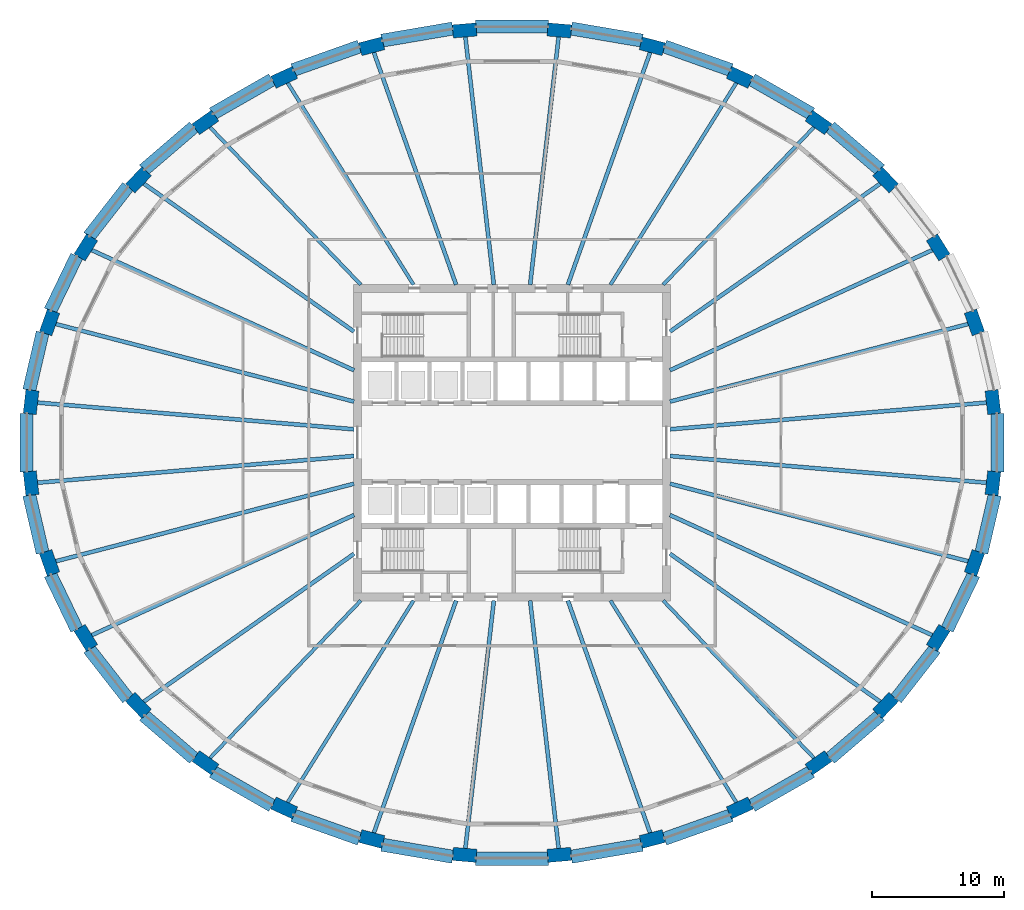
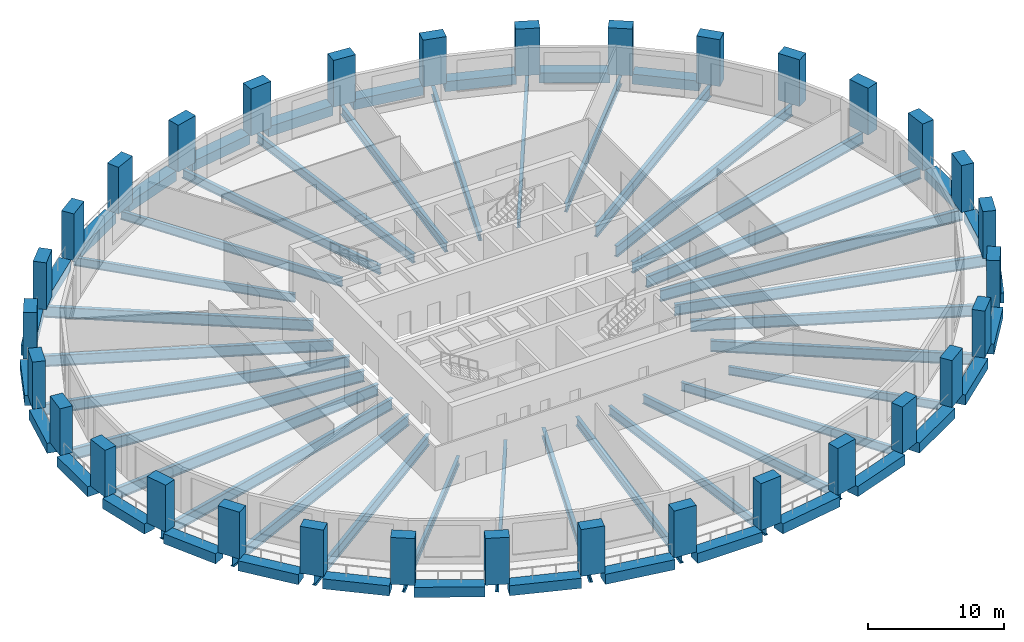
# One storey, part 1 of 10: 61 beams, 32 columns.
"""IFC4 building model written with IfcOpenShell, lengths in metres."""

from ifc_helpers import new_model, si_unit, direction, frame, origin, origin_2d, place, context, subcontext, project, spatial, rectangle, i_section, extrude, material, material_profile, profile_set, type_object, element, save


model = new_model("IFC4")

# Units and contexts
model_context = context("Model", 3, precision=1e-05, world=origin(), true_north=direction((0.0, 1.0)))
body_context = subcontext(model_context, "Body", "Model", "MODEL_VIEW")
ifc_project = project(units=[si_unit("LENGTHUNIT", "METRE"), si_unit("AREAUNIT", "SQUARE_METRE"), si_unit("VOLUMEUNIT", "CUBIC_METRE"), si_unit("PLANEANGLEUNIT", "RADIAN"), si_unit("MASSUNIT", "GRAM", prefix="KILO")], contexts=[model_context])

# Site, building, storey
site_placement = place(None, origin())
site = spatial("IfcSite", under=ifc_project, at=site_placement, CompositionType="ELEMENT")
building_placement = place(site_placement, origin())
building = spatial("IfcBuilding", under=site, at=building_placement, Name="Halqa Exchange Tower", CompositionType="ELEMENT")
storey_placement = place(building_placement, frame((0.0, 0.0, 69.699951171875)))
storey = spatial("IfcBuildingStorey", under=building, at=storey_placement, Name="L15", CompositionType="ELEMENT", Elevation=69.699951171875)

# Columns
ifc_material_1 = material(Name="Concrete C80/95", Category="concrete")
ifc_material_profile_1 = material_profile(ifc_material_1, rectangle(XDim=1.800048828125, YDim=1.0, at=origin_2d()), Name="1800 x 1000")
ifc_profile_set_1 = profile_set([ifc_material_profile_1], Name="Concrete C80/95")
column_type = type_object("IfcColumnType", Name="RC ring column 1800 x 1000 C80/95", PredefinedType="COLUMN", material=ifc_profile_set_1)
for number, where, z_axis, x_axis, name in (
    (1, (36.455078125, 3.07763671875, 0.0), (0.0, 0.0, 1.0), (-0.114151720218, 0.993463328348, 0.0), "Ring column 1"),
    (2, (35.05419921875, 9.114501953125, 0.0), (0.0, 0.0, 1.0), (-0.333624233576, 0.942706142321, 0.0), "Ring column 2"),
    (3, (32.30615234375, 14.80126953125, 0.0), (0.0, 0.0, 1.0), (-0.529144939165, 0.848531456904, 0.0), "Ring column 3"),
    (4, (28.316650390625, 19.9189453125, 0.0), (0.0, 0.0, 1.0), (-0.691578612608, 0.722301199351, 0.0), "Ring column 4"),
    (5, (23.23876953125, 24.271484375, 0.0), (0.0, 0.0, 1.0), (-0.817908788019, 0.57534790734, 0.0), "Ring column 5"),
    (6, (17.26806640625, 27.69091796875, 0.0), (0.0, 0.0, 1.0), (-0.909127095833, 0.416518815449, 0.0), "Ring column 6"),
    (7, (10.633544921875, 30.04638671875, 0.0), (0.0, 0.0, 1.0), (-0.967819942774, 0.251643713153, 0.0), "Ring column 7"),
    (8, (3.590576171875, 31.247314453125, 0.0), (0.0, 0.0, 1.0), (-0.996455518985, 0.084121333105, 0.0), "Ring column 8"),
    (9, (-3.590576171875, 31.247314453125, 0.0), (0.0, 0.0, 1.0), (-0.996455518985, -0.084121333105, 0.0), "Ring column 9"),
    (10, (-10.633544921875, 30.04638671875, 0.0), (0.0, 0.0, 1.0), (-0.967819942774, -0.251643713153, 0.0), "Ring column 10"),
    (11, (-17.26806640625, 27.69091796875, 0.0), (0.0, 0.0, 1.0), (-0.909127095833, -0.416518815449, 0.0), "Ring column 11"),
    (12, (-23.23876953125, 24.271484375, 0.0), (0.0, 0.0, 1.0), (-0.817908788019, -0.57534790734, 0.0), "Ring column 12"),
    (13, (-28.316650390625, 19.9189453125, 0.0), (0.0, 0.0, 1.0), (-0.691578612608, -0.722301199351, 0.0), "Ring column 13"),
    (14, (-32.30615234375, 14.80126953125, 0.0), (0.0, 0.0, 1.0), (-0.529144939165, -0.848531456904, 0.0), "Ring column 14"),
    (15, (-35.05419921875, 9.114501953125, 0.0), (0.0, 0.0, 1.0), (-0.333624233576, -0.942706142321, 0.0), "Ring column 15"),
    (16, (-36.455078125, 3.07763671875, 0.0), (0.0, 0.0, 1.0), (-0.114151720218, -0.993463328348, 0.0), "Ring column 16"),
    (17, (-36.455078125, -3.07763671875, 0.0), (0.0, 0.0, 1.0), (0.114151720218, -0.993463328348, 0.0), "Ring column 17"),
    (18, (-35.05419921875, -9.114501953125, 0.0), (0.0, 0.0, 1.0), (0.333624233576, -0.942706142321, 0.0), "Ring column 18"),
    (19, (-32.30615234375, -14.80126953125, 0.0), (0.0, 0.0, 1.0), (0.529144939165, -0.848531456904, 0.0), "Ring column 19"),
    (20, (-28.316650390625, -19.9189453125, 0.0), (0.0, 0.0, 1.0), (0.691578612608, -0.722301199351, 0.0), "Ring column 20"),
    (21, (-23.23876953125, -24.271484375, 0.0), (0.0, 0.0, 1.0), (0.817908788019, -0.57534790734, 0.0), "Ring column 21"),
    (22, (-17.26806640625, -27.69091796875, 0.0), (0.0, 0.0, 1.0), (0.909127095833, -0.416518815449, 0.0), "Ring column 22"),
    (23, (-10.633544921875, -30.04638671875, 0.0), (0.0, 0.0, 1.0), (0.967819942774, -0.251643713153, 0.0), "Ring column 23"),
    (24, (-3.590576171875, -31.247314453125, 0.0), (0.0, 0.0, 1.0), (0.996455518985, -0.084121333105, 0.0), "Ring column 24"),
    (25, (3.590576171875, -31.247314453125, 0.0), (0.0, 0.0, 1.0), (0.996455518985, 0.084121333105, 0.0), "Ring column 25"),
    (26, (10.633544921875, -30.04638671875, 0.0), (0.0, 0.0, 1.0), (0.967819942774, 0.251643713153, 0.0), "Ring column 26"),
    (27, (17.26806640625, -27.69091796875, 0.0), (0.0, 0.0, 1.0), (0.909127095833, 0.416518815449, 0.0), "Ring column 27"),
    (28, (23.23876953125, -24.271484375, 0.0), (0.0, 0.0, 1.0), (0.817908788019, 0.57534790734, 0.0), "Ring column 28"),
    (29, (28.316650390625, -19.9189453125, 0.0), (0.0, 0.0, 1.0), (0.691578612608, 0.722301199351, 0.0), "Ring column 29"),
    (30, (32.30615234375, -14.80126953125, 0.0), (0.0, 0.0, 1.0), (0.529144939165, 0.848531456904, 0.0), "Ring column 30"),
    (31, (35.05419921875, -9.114501953125, 0.0), (0.0, 0.0, 1.0), (0.333624233576, 0.942706142321, 0.0), "Ring column 31"),
    (32, (36.455078125, -3.07763671875, 0.0), (0.0, 0.0, 1.0), (0.114151720218, 0.993463328348, 0.0), "Ring column 32"),
):
    element("IfcColumn", number, at=place(storey_placement, frame(where, z_axis=z_axis, x_axis=x_axis)), inside=storey, type_object=column_type, Name=name, PredefinedType="COLUMN", context=body_context, shape_type="SweptSolid", body=[
        extrude(rectangle(XDim=1.800048828125, YDim=1.0, at=origin_2d()), origin(), (0.0, 0.0, 1.0), 4.199951171875),
    ])

# Beams
ifc_material_2 = material(Name="Steel S355", Category="steel")
ifc_material_profile_2 = material_profile(ifc_material_2, i_section(OverallWidth=0.300048828125, OverallDepth=0.989990234375, WebThickness=0.0166015625, FlangeThickness=0.031005859375, FilletRadius=0.030029296875, at=origin_2d()), Name="HEA 1000")
ifc_profile_set_2 = profile_set([ifc_material_profile_2], Name="Steel S355")
beam_type_1 = type_object("IfcBeamType", Name="Floor beam HEA 1000", PredefinedType="BEAM", material=ifc_profile_set_2)
beam_1_placement = place(storey_placement, frame((11.97119140625, 3.11279296875, -0.794921875), z_axis=(0.967821408246, 0.251638076889, 0.0), x_axis=(-0.251638076889, 0.967821408246, 0.0)))
element("IfcBeam", 33, at=beam_1_placement, inside=storey, type_object=beam_type_1, Name="Radial beam 2", PredefinedType="BEAM", context=body_context, shape_type="SweptSolid", body=[
    extrude(i_section(OverallWidth=0.300048828125, OverallDepth=0.989990234375, WebThickness=0.0166015625, FlangeThickness=0.031005859375, FilletRadius=0.030029296875, at=origin_2d()), origin(), (0.0, 0.0, 1.0), 23.814697265625),
])
beam_2_placement = place(storey_placement, frame((11.972412109375, 5.485107421875, -0.794921875), z_axis=(0.90912712456, 0.416518752747, 0.0), x_axis=(-0.416518752747, 0.90912712456, 0.0)))
element("IfcBeam", 34, at=beam_2_placement, inside=storey, type_object=beam_type_1, Name="Radial beam 3", PredefinedType="BEAM", context=body_context, shape_type="SweptSolid", body=[
    extrude(i_section(OverallWidth=0.300048828125, OverallDepth=0.989990234375, WebThickness=0.0166015625, FlangeThickness=0.031005859375, FilletRadius=0.030029296875, at=origin_2d()), origin(), (0.0, 0.0, 1.0), 22.322265625),
])
for number, where, z_axis, x_axis, name in (
    (35, (11.972412109375, 8.421875, -0.794921875), (0.817911887768, 0.575343500744, 0.0), (-0.575343500744, 0.817911887768, 0.0), "Radial beam 4"),
    (36, (-11.972412109375, 8.421875, -0.794921875), (-0.817911887768, 0.575343500744, 0.0), (-0.575343500744, -0.817911887768, 0.0), "Radial beam 13"),
):
    element("IfcBeam", number, at=place(storey_placement, frame(where, z_axis=z_axis, x_axis=x_axis)), inside=storey, type_object=beam_type_1, Name=name, PredefinedType="BEAM", context=body_context, shape_type="SweptSolid", body=[
        extrude(i_section(OverallWidth=0.300048828125, OverallDepth=0.989990234375, WebThickness=0.0166015625, FlangeThickness=0.031005859375, FilletRadius=0.030029296875, at=origin_2d()), origin(), (0.0, 0.0, 1.0), 19.930419921875),
    ])
beam_3_placement = place(storey_placement, frame((-11.972412109375, 5.485107421875, -0.794921875), z_axis=(-0.90912712456, 0.416518752747, 0.0), x_axis=(-0.416518752747, -0.90912712456, 0.0)))
element("IfcBeam", 37, at=beam_3_placement, inside=storey, type_object=beam_type_1, Name="Radial beam 14", PredefinedType="BEAM", context=body_context, shape_type="SweptSolid", body=[
    extrude(i_section(OverallWidth=0.300048828125, OverallDepth=0.989990234375, WebThickness=0.0166015625, FlangeThickness=0.031005859375, FilletRadius=0.030029296875, at=origin_2d()), origin(), (0.0, 0.0, 1.0), 22.322265625),
])
for number, where, z_axis, x_axis, name in (
    (38, (-11.97119140625, 3.11279296875, -0.794921875), (-0.967821408246, 0.251638076889, 0.0), (-0.251638076889, -0.967821408246, 0.0), "Radial beam 15"),
    (39, (-11.97119140625, -3.11279296875, -0.794921875), (-0.967821408246, -0.251638076889, 0.0), (0.251638076889, -0.967821408246, 0.0), "Radial beam 18"),
):
    element("IfcBeam", number, at=place(storey_placement, frame(where, z_axis=z_axis, x_axis=x_axis)), inside=storey, type_object=beam_type_1, Name=name, PredefinedType="BEAM", context=body_context, shape_type="SweptSolid", body=[
        extrude(i_section(OverallWidth=0.300048828125, OverallDepth=0.989990234375, WebThickness=0.0166015625, FlangeThickness=0.031005859375, FilletRadius=0.030029296875, at=origin_2d()), origin(), (0.0, 0.0, 1.0), 23.814697265625),
    ])
beam_4_placement = place(storey_placement, frame((-11.972412109375, -5.485107421875, -0.794921875), z_axis=(-0.90912712456, -0.416518752747, 0.0), x_axis=(0.416518752747, -0.90912712456, 0.0)))
element("IfcBeam", 40, at=beam_4_placement, inside=storey, type_object=beam_type_1, Name="Radial beam 19", PredefinedType="BEAM", context=body_context, shape_type="SweptSolid", body=[
    extrude(i_section(OverallWidth=0.300048828125, OverallDepth=0.989990234375, WebThickness=0.0166015625, FlangeThickness=0.031005859375, FilletRadius=0.030029296875, at=origin_2d()), origin(), (0.0, 0.0, 1.0), 22.322265625),
])
for number, where, z_axis, x_axis, name in (
    (41, (-11.972412109375, -8.421875, -0.794921875), (-0.817911887768, -0.575343500744, 0.0), (0.575343500744, -0.817911887768, 0.0), "Radial beam 20"),
    (42, (11.972412109375, -8.421875, -0.794921875), (0.817911887768, -0.575343500744, 0.0), (0.575343500744, 0.817911887768, 0.0), "Radial beam 29"),
):
    element("IfcBeam", number, at=place(storey_placement, frame(where, z_axis=z_axis, x_axis=x_axis)), inside=storey, type_object=beam_type_1, Name=name, PredefinedType="BEAM", context=body_context, shape_type="SweptSolid", body=[
        extrude(i_section(OverallWidth=0.300048828125, OverallDepth=0.989990234375, WebThickness=0.0166015625, FlangeThickness=0.031005859375, FilletRadius=0.030029296875, at=origin_2d()), origin(), (0.0, 0.0, 1.0), 19.930419921875),
    ])
beam_5_placement = place(storey_placement, frame((11.972412109375, -5.485107421875, -0.794921875), z_axis=(0.90912712456, -0.416518752747, 0.0), x_axis=(0.416518752747, 0.90912712456, 0.0)))
element("IfcBeam", 43, at=beam_5_placement, inside=storey, type_object=beam_type_1, Name="Radial beam 30", PredefinedType="BEAM", context=body_context, shape_type="SweptSolid", body=[
    extrude(i_section(OverallWidth=0.300048828125, OverallDepth=0.989990234375, WebThickness=0.0166015625, FlangeThickness=0.031005859375, FilletRadius=0.030029296875, at=origin_2d()), origin(), (0.0, 0.0, 1.0), 22.322265625),
])
beam_6_placement = place(storey_placement, frame((11.97119140625, -3.11279296875, -0.794921875), z_axis=(0.967821408246, -0.251638076889, 0.0), x_axis=(0.251638076889, 0.967821408246, 0.0)))
element("IfcBeam", 44, at=beam_6_placement, inside=storey, type_object=beam_type_1, Name="Radial beam 31", PredefinedType="BEAM", context=body_context, shape_type="SweptSolid", body=[
    extrude(i_section(OverallWidth=0.300048828125, OverallDepth=0.989990234375, WebThickness=0.0166015625, FlangeThickness=0.031005859375, FilletRadius=0.030029296875, at=origin_2d()), origin(), (0.0, 0.0, 1.0), 23.814697265625),
])
ifc_material_profile_3 = material_profile(ifc_material_2, i_section(OverallWidth=0.300048828125, OverallDepth=0.7900390625, WebThickness=0.014892578125, FlangeThickness=0.028076171875, FilletRadius=0.030029296875, at=origin_2d()), Name="HEA 800")
ifc_profile_set_3 = profile_set([ifc_material_profile_3], Name="Steel S355")
beam_type_2 = type_object("IfcBeamType", Name="Floor beam HEA 800", PredefinedType="BEAM", material=ifc_profile_set_3)
for number, where, z_axis, x_axis, name in (
    (45, (4.23681640625, 11.971923828125, -0.695068359375), (0.333632487117, 0.942703221348, 0.0), (-0.942703221348, 0.333632487117, 0.0), "Radial beam 7"),
    (46, (-4.23681640625, 11.971923828125, -0.695068359375), (-0.333632487117, 0.942703221348, 0.0), (-0.942703221348, -0.333632487117, 0.0), "Radial beam 10"),
    (47, (-4.23681640625, -11.971923828125, -0.695068359375), (-0.333632487117, -0.942703221348, 0.0), (0.942703221348, -0.333632487117, 0.0), "Radial beam 23"),
    (48, (4.23681640625, -11.971923828125, -0.695068359375), (0.333632487117, -0.942703221348, 0.0), (0.942703221348, 0.333632487117, 0.0), "Radial beam 26"),
):
    element("IfcBeam", number, at=place(storey_placement, frame(where, z_axis=z_axis, x_axis=x_axis)), inside=storey, type_object=beam_type_2, Name=name, PredefinedType="BEAM", context=body_context, shape_type="SweptSolid", body=[
        extrude(i_section(OverallWidth=0.300048828125, OverallDepth=0.7900390625, WebThickness=0.014892578125, FlangeThickness=0.028076171875, FilletRadius=0.030029296875, at=origin_2d()), origin(), (0.0, 0.0, 1.0), 19.096923828125),
    ])
ifc_material_profile_4 = material_profile(ifc_material_2, i_section(OverallWidth=0.300048828125, OverallDepth=0.800048828125, WebThickness=0.017578125, FlangeThickness=0.032958984375, FilletRadius=0.030029296875, at=origin_2d()), Name="HEB 800")
ifc_profile_set_4 = profile_set([ifc_material_profile_4], Name="Steel S355")
beam_type_3 = type_object("IfcBeamType", Name="Floor beam HEB 800", PredefinedType="BEAM", material=ifc_profile_set_4)
for number, where, z_axis, x_axis, name in (
    (49, (1.375732421875, 11.972900390625, -0.699951171875), (0.114155555708, 0.993462887631, 0.0), (-0.993462887631, 0.114155555708, 0.0), "Radial beam 8"),
    (50, (-1.375732421875, 11.972900390625, -0.699951171875), (-0.114155555708, 0.993462887631, 0.0), (-0.993462887631, -0.114155555708, 0.0), "Radial beam 9"),
    (51, (-1.375732421875, -11.972900390625, -0.699951171875), (-0.114155555708, -0.993462887631, 0.0), (0.993462887631, -0.114155555708, 0.0), "Radial beam 24"),
    (52, (1.375732421875, -11.972900390625, -0.699951171875), (0.114155555708, -0.993462887631, 0.0), (0.993462887631, 0.114155555708, 0.0), "Radial beam 25"),
):
    element("IfcBeam", number, at=place(storey_placement, frame(where, z_axis=z_axis, x_axis=x_axis)), inside=storey, type_object=beam_type_3, Name=name, PredefinedType="BEAM", context=body_context, shape_type="SweptSolid", body=[
        extrude(i_section(OverallWidth=0.300048828125, OverallDepth=0.800048828125, WebThickness=0.017578125, FlangeThickness=0.032958984375, FilletRadius=0.030029296875, at=origin_2d()), origin(), (0.0, 0.0, 1.0), 19.32275390625),
    ])
ifc_material_profile_5 = material_profile(ifc_material_2, i_section(OverallWidth=0.302001953125, OverallDepth=1.008056640625, WebThickness=0.02099609375, FlangeThickness=0.0400390625, FilletRadius=0.030029296875, at=origin_2d()), Name="HEM 1000")
ifc_profile_set_5 = profile_set([ifc_material_profile_5], Name="Steel S355")
beam_type_4 = type_object("IfcBeamType", Name="Floor beam HEM 1000", PredefinedType="BEAM", material=ifc_profile_set_5)
for number, where, z_axis, x_axis, name in (
    (53, (11.972412109375, 1.0107421875, -0.803955078125), (0.99645584794, 0.084117436394, 0.0), (-0.084117436394, 0.99645584794, 0.0), "Radial beam 1"),
    (54, (-11.972412109375, 1.0107421875, -0.803955078125), (-0.99645584794, 0.084117436394, 0.0), (-0.084117436394, -0.99645584794, 0.0), "Radial beam 16"),
    (55, (-11.972412109375, -1.0107421875, -0.803955078125), (-0.99645584794, -0.084117436394, 0.0), (0.084117436394, -0.99645584794, 0.0), "Radial beam 17"),
    (56, (11.972412109375, -1.0107421875, -0.803955078125), (0.99645584794, -0.084117436394, 0.0), (0.084117436394, 0.99645584794, 0.0), "Radial beam 32"),
):
    element("IfcBeam", number, at=place(storey_placement, frame(where, z_axis=z_axis, x_axis=x_axis)), inside=storey, type_object=beam_type_4, Name=name, PredefinedType="BEAM", context=body_context, shape_type="SweptSolid", body=[
        extrude(i_section(OverallWidth=0.302001953125, OverallDepth=1.008056640625, WebThickness=0.02099609375, FlangeThickness=0.0400390625, FilletRadius=0.030029296875, at=origin_2d()), origin(), (0.0, 0.0, 1.0), 24.53955078125),
    ])
ifc_material_profile_6 = material_profile(ifc_material_2, i_section(OverallWidth=0.264892578125, OverallDepth=0.7529296875, WebThickness=0.01318359375, FlangeThickness=0.01708984375, FilletRadius=0.01708984375, at=origin_2d()), Name="IPE 750x147")
ifc_profile_set_6 = profile_set([ifc_material_profile_6], Name="Steel S355")
beam_type_5 = type_object("IfcBeamType", Name="Floor beam IPE 750x147", PredefinedType="BEAM", material=ifc_profile_set_6)
for number, where, z_axis, x_axis, name in (
    (57, (11.462890625, 11.97216796875, -0.676513671875), (0.691578048571, 0.722301739396, 0.0), (-0.722301739396, 0.691578048571, 0.0), "Radial beam 5"),
    (58, (-11.462890625, 11.97216796875, -0.676513671875), (-0.691578048571, 0.722301739396, 0.0), (-0.722301739396, -0.691578048571, 0.0), "Radial beam 12"),
    (59, (-11.462890625, -11.97216796875, -0.676513671875), (-0.691578048571, -0.722301739396, 0.0), (0.722301739396, -0.691578048571, 0.0), "Radial beam 21"),
    (60, (11.462890625, -11.97216796875, -0.676513671875), (0.691578048571, -0.722301739396, 0.0), (0.722301739396, 0.691578048571, 0.0), "Radial beam 28"),
):
    element("IfcBeam", number, at=place(storey_placement, frame(where, z_axis=z_axis, x_axis=x_axis)), inside=storey, type_object=beam_type_5, Name=name, PredefinedType="BEAM", context=body_context, shape_type="SweptSolid", body=[
        extrude(i_section(OverallWidth=0.264892578125, OverallDepth=0.7529296875, WebThickness=0.01318359375, FlangeThickness=0.01708984375, FilletRadius=0.01708984375, at=origin_2d()), origin(), (0.0, 0.0, 1.0), 16.96533203125),
    ])
ifc_material_profile_7 = material_profile(ifc_material_2, i_section(OverallWidth=0.26806640625, OverallDepth=0.77001953125, WebThickness=0.015625, FlangeThickness=0.025390625, FilletRadius=0.01708984375, at=origin_2d()), Name="IPE 750x196")
ifc_profile_set_7 = profile_set([ifc_material_profile_7], Name="Steel S355")
beam_type_6 = type_object("IfcBeamType", Name="Floor beam IPE 750x196", PredefinedType="BEAM", material=ifc_profile_set_7)
for number, where, z_axis, x_axis, name in (
    (61, (7.46533203125, 11.971435546875, -0.68505859375), (0.52913771305, 0.848535963073, 0.0), (-0.848535963073, 0.52913771305, 0.0), "Radial beam 6"),
    (62, (-7.46533203125, 11.971435546875, -0.68505859375), (-0.52913771305, 0.848535963073, 0.0), (-0.848535963073, -0.52913771305, 0.0), "Radial beam 11"),
    (63, (-7.46533203125, -11.971435546875, -0.68505859375), (-0.52913771305, -0.848535963073, 0.0), (0.848535963073, -0.52913771305, 0.0), "Radial beam 22"),
    (64, (7.46533203125, -11.971435546875, -0.68505859375), (0.52913771305, -0.848535963073, 0.0), (0.848535963073, 0.52913771305, 0.0), "Radial beam 27"),
):
    element("IfcBeam", number, at=place(storey_placement, frame(where, z_axis=z_axis, x_axis=x_axis)), inside=storey, type_object=beam_type_6, Name=name, PredefinedType="BEAM", context=body_context, shape_type="SweptSolid", body=[
        extrude(i_section(OverallWidth=0.26806640625, OverallDepth=0.77001953125, WebThickness=0.015625, FlangeThickness=0.025390625, FilletRadius=0.01708984375, at=origin_2d()), origin(), (0.0, 0.0, 1.0), 18.454345703125),
    ])
ifc_material_3 = material(Name="Concrete C60/75", Category="concrete")
ifc_material_profile_8 = material_profile(ifc_material_3, rectangle(XDim=1.0, YDim=0.89990234375, at=origin_2d()), Name="1000 x 900")
ifc_profile_set_8 = profile_set([ifc_material_profile_8], Name="Concrete C60/75")
beam_type_7 = type_object("IfcBeamType", Name="RC spandrel beam 1000 x 900 C60/75", PredefinedType="SPANDREL", material=ifc_profile_set_8)
beam_7_placement = place(storey_placement, frame((27.915771484375, 20.67529296875, -0.449951171875), z_axis=(-0.759260049854, 0.650787351364, 0.0), x_axis=(-0.650787351364, -0.759260049854, 0.0)))
element("IfcBeam", 65, at=beam_7_placement, inside=storey, type_object=beam_type_7, Name="Spandrel 4", PredefinedType="SPANDREL", context=body_context, shape_type="SweptSolid", body=[
    extrude(rectangle(XDim=1.0, YDim=0.89990234375, at=origin_2d()), origin(), (0.0, 0.0, 1.0), 4.998779296875),
])
beam_8_placement = place(storey_placement, frame((22.69580078125, 24.933349609375, -0.449951171875), z_axis=(-0.867759663609, 0.496984070383, 0.0), x_axis=(-0.496984070383, -0.867759663609, 0.0)))
element("IfcBeam", 66, at=beam_8_placement, inside=storey, type_object=beam_type_7, Name="Spandrel 5", PredefinedType="SPANDREL", context=body_context, shape_type="SweptSolid", body=[
    extrude(rectangle(XDim=1.0, YDim=0.89990234375, at=origin_2d()), origin(), (0.0, 0.0, 1.0), 5.19384765625),
])
beam_9_placement = place(storey_placement, frame((16.603515625, 28.242919921875, -0.449951171875), z_axis=(-0.942371638201, 0.334567923618, 0.0), x_axis=(-0.334567923618, -0.942371638201, 0.0)))
element("IfcBeam", 67, at=beam_9_placement, inside=storey, type_object=beam_type_7, Name="Spandrel 6", PredefinedType="SPANDREL", context=body_context, shape_type="SweptSolid", body=[
    extrude(rectangle(XDim=1.0, YDim=0.89990234375, at=origin_2d()), origin(), (0.0, 0.0, 1.0), 5.35400390625),
])
beam_10_placement = place(storey_placement, frame((9.870361328125, 30.47412109375, -0.449951171875), z_axis=(-0.985774563326, 0.168072931488, 0.0), x_axis=(-0.168072931488, -0.985774563326, 0.0)))
element("IfcBeam", 68, at=beam_10_placement, inside=storey, type_object=beam_type_7, Name="Spandrel 7", PredefinedType="SPANDREL", context=body_context, shape_type="SweptSolid", body=[
    extrude(rectangle(XDim=1.0, YDim=0.89990234375, at=origin_2d()), origin(), (0.0, 0.0, 1.0), 5.461669921875),
])
beam_11_placement = place(storey_placement, frame((2.74951171875, 31.5390625, -0.449951171875), z_axis=(-1.0, 0.0, 0.0), x_axis=(0.0, -1.0, 0.0)))
element("IfcBeam", 69, at=beam_11_placement, inside=storey, type_object=beam_type_7, Name="Spandrel 8", PredefinedType="SPANDREL", context=body_context, shape_type="SweptSolid", body=[
    extrude(rectangle(XDim=1.0, YDim=0.89990234375, at=origin_2d()), origin(), (0.0, 0.0, 1.0), 5.4990234375),
])
beam_12_placement = place(storey_placement, frame((-4.486328125, 31.39208984375, -0.449951171875), z_axis=(-0.985774563326, -0.168072931488, 0.0), x_axis=(0.168072931488, -0.985774563326, 0.0)))
element("IfcBeam", 70, at=beam_12_placement, inside=storey, type_object=beam_type_7, Name="Spandrel 9", PredefinedType="SPANDREL", context=body_context, shape_type="SweptSolid", body=[
    extrude(rectangle(XDim=1.0, YDim=0.89990234375, at=origin_2d()), origin(), (0.0, 0.0, 1.0), 5.461669921875),
])
beam_13_placement = place(storey_placement, frame((-11.55810546875, 30.0341796875, -0.449951171875), z_axis=(-0.942371638201, -0.334567923618, 0.0), x_axis=(0.334567923618, -0.942371638201, 0.0)))
element("IfcBeam", 71, at=beam_13_placement, inside=storey, type_object=beam_type_7, Name="Spandrel 10", PredefinedType="SPANDREL", context=body_context, shape_type="SweptSolid", body=[
    extrude(rectangle(XDim=1.0, YDim=0.89990234375, at=origin_2d()), origin(), (0.0, 0.0, 1.0), 5.35400390625),
])
beam_14_placement = place(storey_placement, frame((-18.188720703125, 27.5146484375, -0.449951171875), z_axis=(-0.867759663609, -0.496984070383, 0.0), x_axis=(0.496984070383, -0.867759663609, 0.0)))
element("IfcBeam", 72, at=beam_14_placement, inside=storey, type_object=beam_type_7, Name="Spandrel 11", PredefinedType="SPANDREL", context=body_context, shape_type="SweptSolid", body=[
    extrude(rectangle(XDim=1.0, YDim=0.89990234375, at=origin_2d()), origin(), (0.0, 0.0, 1.0), 5.19384765625),
])
beam_15_placement = place(storey_placement, frame((-24.120361328125, 23.928466796875, -0.449951171875), z_axis=(-0.759260049854, -0.650787351364, 0.0), x_axis=(0.650787351364, -0.759260049854, 0.0)))
element("IfcBeam", 73, at=beam_15_placement, inside=storey, type_object=beam_type_7, Name="Spandrel 12", PredefinedType="SPANDREL", context=body_context, shape_type="SweptSolid", body=[
    extrude(rectangle(XDim=1.0, YDim=0.89990234375, at=origin_2d()), origin(), (0.0, 0.0, 1.0), 4.998779296875),
])
beam_16_placement = place(storey_placement, frame((-29.119384765625, 19.414306640625, -0.449951171875), z_axis=(-0.614821046905, -0.788666647122, 0.0), x_axis=(0.788666647122, -0.614821046905, 0.0)))
element("IfcBeam", 74, at=beam_16_placement, inside=storey, type_object=beam_type_7, Name="Spandrel 13", PredefinedType="SPANDREL", context=body_context, shape_type="SweptSolid", body=[
    extrude(rectangle(XDim=1.0, YDim=0.89990234375, at=origin_2d()), origin(), (0.0, 0.0, 1.0), 4.79736328125),
])
beam_17_placement = place(storey_placement, frame((-32.989990234375, 14.14892578125, -0.449951171875), z_axis=(-0.435081553548, -0.900391049357, 0.0), x_axis=(0.900391049357, -0.435081553548, 0.0)))
element("IfcBeam", 75, at=beam_17_placement, inside=storey, type_object=beam_type_7, Name="Spandrel 14", PredefinedType="SPANDREL", context=body_context, shape_type="SweptSolid", body=[
    extrude(rectangle(XDim=1.0, YDim=0.89990234375, at=origin_2d()), origin(), (0.0, 0.0, 1.0), 4.619873046875),
])
beam_18_placement = place(storey_placement, frame((-35.580078125, 8.344482421875, -0.449951171875), z_axis=(-0.226068102396, -0.974111499305, 0.0), x_axis=(0.974111499305, -0.226068102396, 0.0)))
element("IfcBeam", 76, at=beam_18_placement, inside=storey, type_object=beam_type_7, Name="Spandrel 15", PredefinedType="SPANDREL", context=body_context, shape_type="SweptSolid", body=[
    extrude(rectangle(XDim=1.0, YDim=0.89990234375, at=origin_2d()), origin(), (0.0, 0.0, 1.0), 4.4990234375),
])
beam_19_placement = place(storey_placement, frame((-36.795654296875, 2.2275390625, -0.449951171875), z_axis=(0.0, -1.0, 0.0), x_axis=(1.0, 0.0, 0.0)))
element("IfcBeam", 77, at=beam_19_placement, inside=storey, type_object=beam_type_7, Name="Spandrel 16", PredefinedType="SPANDREL", context=body_context, shape_type="SweptSolid", body=[
    extrude(rectangle(XDim=1.0, YDim=0.89990234375, at=origin_2d()), origin(), (0.0, 0.0, 1.0), 4.455078125),
])
beam_20_placement = place(storey_placement, frame((-36.59716796875, -3.9619140625, -0.449951171875), z_axis=(0.226068102396, -0.974111499305, 0.0), x_axis=(0.974111499305, 0.226068102396, 0.0)))
element("IfcBeam", 78, at=beam_20_placement, inside=storey, type_object=beam_type_7, Name="Spandrel 17", PredefinedType="SPANDREL", context=body_context, shape_type="SweptSolid", body=[
    extrude(rectangle(XDim=1.0, YDim=0.89990234375, at=origin_2d()), origin(), (0.0, 0.0, 1.0), 4.4990234375),
])
beam_21_placement = place(storey_placement, frame((-35.0, -9.9892578125, -0.449951171875), z_axis=(0.435081553548, -0.900391049357, 0.0), x_axis=(0.900391049357, 0.435081553548, 0.0)))
element("IfcBeam", 79, at=beam_21_placement, inside=storey, type_object=beam_type_7, Name="Spandrel 18", PredefinedType="SPANDREL", context=body_context, shape_type="SweptSolid", body=[
    extrude(rectangle(XDim=1.0, YDim=0.89990234375, at=origin_2d()), origin(), (0.0, 0.0, 1.0), 4.619873046875),
])
beam_22_placement = place(storey_placement, frame((-32.06884765625, -15.630859375, -0.449951171875), z_axis=(0.614821046905, -0.788666647122, 0.0), x_axis=(0.788666647122, 0.614821046905, 0.0)))
element("IfcBeam", 80, at=beam_22_placement, inside=storey, type_object=beam_type_7, Name="Spandrel 19", PredefinedType="SPANDREL", context=body_context, shape_type="SweptSolid", body=[
    extrude(rectangle(XDim=1.0, YDim=0.89990234375, at=origin_2d()), origin(), (0.0, 0.0, 1.0), 4.79736328125),
])
beam_23_placement = place(storey_placement, frame((-27.915771484375, -20.67529296875, -0.449951171875), z_axis=(0.759260049854, -0.650787351364, 0.0), x_axis=(0.650787351364, 0.759260049854, 0.0)))
element("IfcBeam", 81, at=beam_23_placement, inside=storey, type_object=beam_type_7, Name="Spandrel 20", PredefinedType="SPANDREL", context=body_context, shape_type="SweptSolid", body=[
    extrude(rectangle(XDim=1.0, YDim=0.89990234375, at=origin_2d()), origin(), (0.0, 0.0, 1.0), 4.998779296875),
])
beam_24_placement = place(storey_placement, frame((-22.69580078125, -24.933349609375, -0.449951171875), z_axis=(0.867759663609, -0.496984070383, 0.0), x_axis=(0.496984070383, 0.867759663609, 0.0)))
element("IfcBeam", 82, at=beam_24_placement, inside=storey, type_object=beam_type_7, Name="Spandrel 21", PredefinedType="SPANDREL", context=body_context, shape_type="SweptSolid", body=[
    extrude(rectangle(XDim=1.0, YDim=0.89990234375, at=origin_2d()), origin(), (0.0, 0.0, 1.0), 5.19384765625),
])
beam_25_placement = place(storey_placement, frame((-16.603515625, -28.242919921875, -0.449951171875), z_axis=(0.942371638201, -0.334567923618, 0.0), x_axis=(0.334567923618, 0.942371638201, 0.0)))
element("IfcBeam", 83, at=beam_25_placement, inside=storey, type_object=beam_type_7, Name="Spandrel 22", PredefinedType="SPANDREL", context=body_context, shape_type="SweptSolid", body=[
    extrude(rectangle(XDim=1.0, YDim=0.89990234375, at=origin_2d()), origin(), (0.0, 0.0, 1.0), 5.35400390625),
])
beam_26_placement = place(storey_placement, frame((-9.870361328125, -30.47412109375, -0.449951171875), z_axis=(0.985774563326, -0.168072931488, 0.0), x_axis=(0.168072931488, 0.985774563326, 0.0)))
element("IfcBeam", 84, at=beam_26_placement, inside=storey, type_object=beam_type_7, Name="Spandrel 23", PredefinedType="SPANDREL", context=body_context, shape_type="SweptSolid", body=[
    extrude(rectangle(XDim=1.0, YDim=0.89990234375, at=origin_2d()), origin(), (0.0, 0.0, 1.0), 5.461669921875),
])
beam_27_placement = place(storey_placement, frame((-2.74951171875, -31.5390625, -0.449951171875), z_axis=(1.0, 0.0, 0.0), x_axis=(0.0, 1.0, 0.0)))
element("IfcBeam", 85, at=beam_27_placement, inside=storey, type_object=beam_type_7, Name="Spandrel 24", PredefinedType="SPANDREL", context=body_context, shape_type="SweptSolid", body=[
    extrude(rectangle(XDim=1.0, YDim=0.89990234375, at=origin_2d()), origin(), (0.0, 0.0, 1.0), 5.4990234375),
])
beam_28_placement = place(storey_placement, frame((4.486328125, -31.39208984375, -0.449951171875), z_axis=(0.985774563326, 0.168072931488, 0.0), x_axis=(-0.168072931488, 0.985774563326, 0.0)))
element("IfcBeam", 86, at=beam_28_placement, inside=storey, type_object=beam_type_7, Name="Spandrel 25", PredefinedType="SPANDREL", context=body_context, shape_type="SweptSolid", body=[
    extrude(rectangle(XDim=1.0, YDim=0.89990234375, at=origin_2d()), origin(), (0.0, 0.0, 1.0), 5.461669921875),
])
beam_29_placement = place(storey_placement, frame((11.55810546875, -30.0341796875, -0.449951171875), z_axis=(0.942371638201, 0.334567923618, 0.0), x_axis=(-0.334567923618, 0.942371638201, 0.0)))
element("IfcBeam", 87, at=beam_29_placement, inside=storey, type_object=beam_type_7, Name="Spandrel 26", PredefinedType="SPANDREL", context=body_context, shape_type="SweptSolid", body=[
    extrude(rectangle(XDim=1.0, YDim=0.89990234375, at=origin_2d()), origin(), (0.0, 0.0, 1.0), 5.35400390625),
])
beam_30_placement = place(storey_placement, frame((18.188720703125, -27.5146484375, -0.449951171875), z_axis=(0.867759663609, 0.496984070383, 0.0), x_axis=(-0.496984070383, 0.867759663609, 0.0)))
element("IfcBeam", 88, at=beam_30_placement, inside=storey, type_object=beam_type_7, Name="Spandrel 27", PredefinedType="SPANDREL", context=body_context, shape_type="SweptSolid", body=[
    extrude(rectangle(XDim=1.0, YDim=0.89990234375, at=origin_2d()), origin(), (0.0, 0.0, 1.0), 5.19384765625),
])
beam_31_placement = place(storey_placement, frame((24.120361328125, -23.928466796875, -0.449951171875), z_axis=(0.759260049854, 0.650787351364, 0.0), x_axis=(-0.650787351364, 0.759260049854, 0.0)))
element("IfcBeam", 89, at=beam_31_placement, inside=storey, type_object=beam_type_7, Name="Spandrel 28", PredefinedType="SPANDREL", context=body_context, shape_type="SweptSolid", body=[
    extrude(rectangle(XDim=1.0, YDim=0.89990234375, at=origin_2d()), origin(), (0.0, 0.0, 1.0), 4.998779296875),
])
beam_32_placement = place(storey_placement, frame((29.119384765625, -19.414306640625, -0.449951171875), z_axis=(0.614821046905, 0.788666647122, 0.0), x_axis=(-0.788666647122, 0.614821046905, 0.0)))
element("IfcBeam", 90, at=beam_32_placement, inside=storey, type_object=beam_type_7, Name="Spandrel 29", PredefinedType="SPANDREL", context=body_context, shape_type="SweptSolid", body=[
    extrude(rectangle(XDim=1.0, YDim=0.89990234375, at=origin_2d()), origin(), (0.0, 0.0, 1.0), 4.79736328125),
])
beam_33_placement = place(storey_placement, frame((32.989990234375, -14.14892578125, -0.449951171875), z_axis=(0.435081553548, 0.900391049357, 0.0), x_axis=(-0.900391049357, 0.435081553548, 0.0)))
element("IfcBeam", 91, at=beam_33_placement, inside=storey, type_object=beam_type_7, Name="Spandrel 30", PredefinedType="SPANDREL", context=body_context, shape_type="SweptSolid", body=[
    extrude(rectangle(XDim=1.0, YDim=0.89990234375, at=origin_2d()), origin(), (0.0, 0.0, 1.0), 4.619873046875),
])
beam_34_placement = place(storey_placement, frame((35.580078125, -8.344482421875, -0.449951171875), z_axis=(0.226068102396, 0.974111499305, 0.0), x_axis=(-0.974111499305, 0.226068102396, 0.0)))
element("IfcBeam", 92, at=beam_34_placement, inside=storey, type_object=beam_type_7, Name="Spandrel 31", PredefinedType="SPANDREL", context=body_context, shape_type="SweptSolid", body=[
    extrude(rectangle(XDim=1.0, YDim=0.89990234375, at=origin_2d()), origin(), (0.0, 0.0, 1.0), 4.4990234375),
])
beam_35_placement = place(storey_placement, frame((36.795654296875, -2.2275390625, -0.449951171875), z_axis=(0.0, 1.0, 0.0), x_axis=(-1.0, 0.0, 0.0)))
element("IfcBeam", 93, at=beam_35_placement, inside=storey, type_object=beam_type_7, Name="Spandrel 32", PredefinedType="SPANDREL", context=body_context, shape_type="SweptSolid", body=[
    extrude(rectangle(XDim=1.0, YDim=0.89990234375, at=origin_2d()), origin(), (0.0, 0.0, 1.0), 4.455078125),
])

save(model, "model.ifc")
